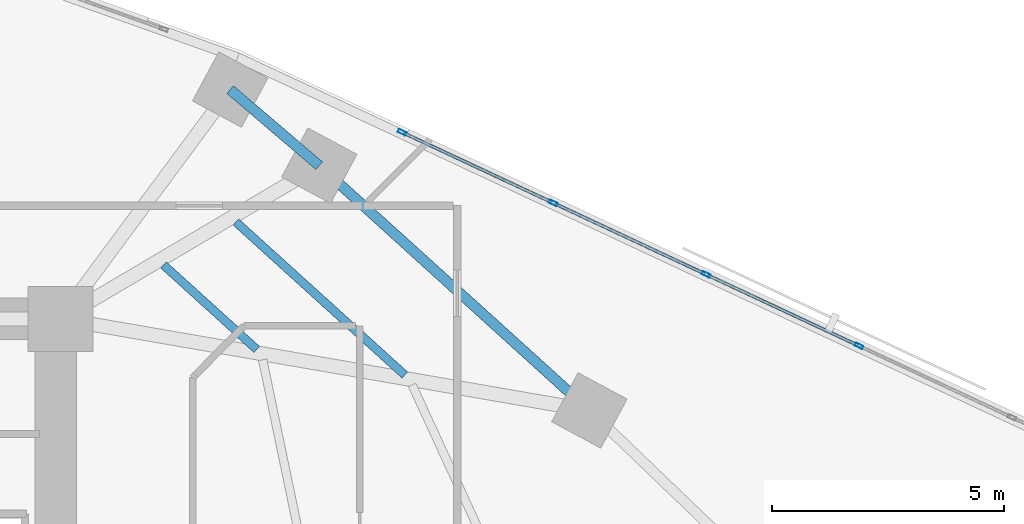
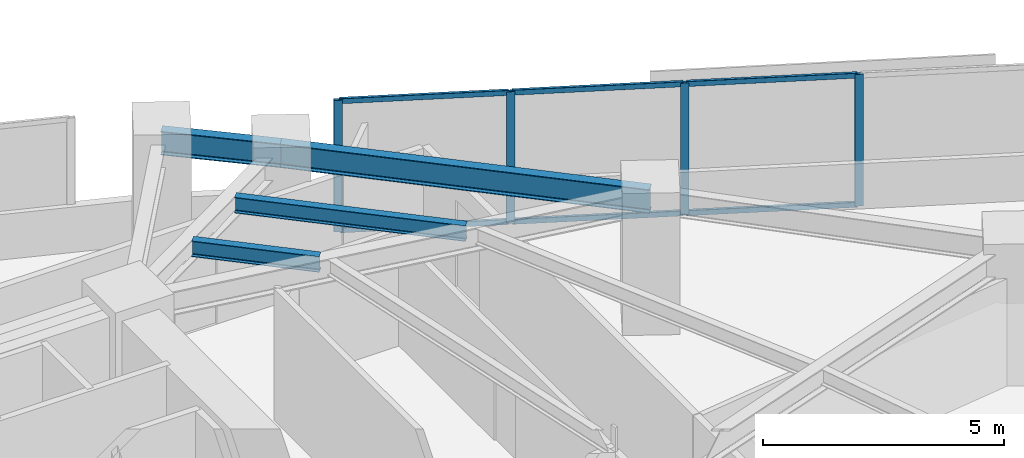
# One storey, part 4 of 16: 10 members, 4 beams, 1 element without a shape of its own.
"""IFC4 building model written with IfcOpenShell, lengths in metres."""

from ifc_helpers import new_model, si_unit, direction, frame, origin, origin_2d, place, context, subcontext, project, spatial, hollow_rectangle, i_section, extrude, material, material_profile, profile_set, type_object, element, aggregate, save


model = new_model("IFC4")

# Units and contexts
model_context = context("Model", 3, precision=1e-05, world=origin(), true_north=direction((0.0, 1.0)))
body_context = subcontext(model_context, "Body", "Model", "MODEL_VIEW")
ifc_project = project(units=[si_unit("LENGTHUNIT", "METRE"), si_unit("AREAUNIT", "SQUARE_METRE"), si_unit("VOLUMEUNIT", "CUBIC_METRE"), si_unit("PLANEANGLEUNIT", "RADIAN"), si_unit("MASSUNIT", "GRAM", prefix="KILO")], contexts=[model_context])

# Site, building, storey
site_placement = place(None, origin())
site = spatial("IfcSite", under=ifc_project, at=site_placement, CompositionType="ELEMENT")
building_placement = place(site_placement, origin())
building = spatial("IfcBuilding", under=site, at=building_placement, Name="Narakoshi Arena Tower", CompositionType="ELEMENT")
storey_placement = place(building_placement, frame((0.0, 0.0, 132.300048828125)))
storey = spatial("IfcBuildingStorey", under=building, at=storey_placement, Name="L35", CompositionType="ELEMENT", Elevation=132.300048828125)

# Beams
ifc_material_1 = material(Name="Structural steel S355J2", Category="steel")
ifc_material_profile_1 = material_profile(ifc_material_1, i_section(OverallWidth=0.219970703125, OverallDepth=0.60009765625, WebThickness=0.011962890625, FlangeThickness=0.01904296875, FilletRadius=0.02392578125, at=origin_2d()), Name="IPE600")
ifc_profile_set_1 = profile_set([ifc_material_profile_1], Name="Structural steel S355J2")
beam_type_1 = type_object("IfcBeamType", Name="BM-EDGE-600", PredefinedType="BEAM", material=ifc_profile_set_1)
beam_1_placement = place(storey_placement, frame((96.9443359375, 54.528076171875, 3.0400390625), z_axis=(-0.741140720169, 0.671349709844, 0.0), x_axis=(-0.671349709844, -0.741140720169, 0.0)))
element("IfcBeam", 1, at=beam_1_placement, inside=storey, type_object=beam_type_1, Name="L35 Perimeter Edge Girder 06", PredefinedType="BEAM", context=body_context, shape_type="SweptSolid", body=[
    extrude(i_section(OverallWidth=0.219970703125, OverallDepth=0.60009765625, WebThickness=0.011962890625, FlangeThickness=0.01904296875, FilletRadius=0.02392578125, at=origin_2d()), origin(), (0.0, 0.0, 1.0), 7.849853515625),
])
beam_2_placement = place(storey_placement, frame((91.12646484375, 59.798095703125, 3.0400390625), z_axis=(-0.760388602298, 0.649468377595, 0.0), x_axis=(-0.649468377595, -0.760388602298, 0.0)))
element("IfcBeam", 2, at=beam_2_placement, inside=storey, type_object=beam_type_1, Name="L35 Perimeter Edge Girder 07", PredefinedType="BEAM", context=body_context, shape_type="SweptSolid", body=[
    extrude(i_section(OverallWidth=0.219970703125, OverallDepth=0.60009765625, WebThickness=0.011962890625, FlangeThickness=0.01904296875, FilletRadius=0.02392578125, at=origin_2d()), origin(), (0.0, 0.0, 1.0), 2.524658203125),
])
ifc_material_profile_2 = material_profile(ifc_material_1, i_section(OverallWidth=0.179931640625, OverallDepth=0.39990234375, WebThickness=0.008544921875, FlangeThickness=0.013427734375, FilletRadius=0.02099609375, at=origin_2d()), Name="IPE400")
ifc_profile_set_2 = profile_set([ifc_material_profile_2], Name="Structural steel S355J2")
beam_type_2 = type_object("IfcBeamType", Name="BM-SEC-400", PredefinedType="JOIST", material=ifc_profile_set_2)
beam_3_placement = place(storey_placement, frame((89.77978515625, 55.84130859375, 3.139892578125), z_axis=(-0.741160441586, 0.671327937619, 0.0), x_axis=(-0.671327937619, -0.741160441586, 0.0)))
element("IfcBeam", 3, at=beam_3_placement, inside=storey, type_object=beam_type_2, Name="L35 Composite Secondary Floor Joist 05", PredefinedType="JOIST", context=body_context, shape_type="SweptSolid", body=[
    extrude(i_section(OverallWidth=0.179931640625, OverallDepth=0.39990234375, WebThickness=0.008544921875, FlangeThickness=0.013427734375, FilletRadius=0.02099609375, at=origin_2d()), origin(), (0.0, 0.0, 1.0), 2.712890625),
])
beam_4_placement = place(storey_placement, frame((92.97021484375, 55.289306640625, 3.139892578125), z_axis=(-0.741144631446, 0.67134539194, 0.0), x_axis=(-0.67134539194, -0.741144631446, 0.0)))
element("IfcBeam", 4, at=beam_4_placement, inside=storey, type_object=beam_type_2, Name="L35 Composite Secondary Floor Joist 06", PredefinedType="JOIST", context=body_context, shape_type="SweptSolid", body=[
    extrude(i_section(OverallWidth=0.179931640625, OverallDepth=0.39990234375, WebThickness=0.008544921875, FlangeThickness=0.013427734375, FilletRadius=0.02099609375, at=origin_2d()), origin(), (0.0, 0.0, 1.0), 4.910888671875),
])

# Curtain wall, members
ifc_material_2 = material(Name="Anodised bronze aluminium 6063-T6", Category="aluminium")
curtain_wall_type = type_object("IfcCurtainWallType", Name="CW-HYP-MID", PredefinedType="NOTDEFINED", material=ifc_material_2)
curtain_wall_placement = place(storey_placement, origin())
curtain_wall = element("IfcCurtainWall", 5, at=curtain_wall_placement, inside=storey, type_object=curtain_wall_type, Name="L35 Folded Hypotenuse Curtain Wall 1-1", PredefinedType="NOTDEFINED")
ifc_material_profile_3 = material_profile(ifc_material_2, hollow_rectangle(XDim=0.074951171875, YDim=0.179931640625, WallThickness=0.00390625, OuterFilletRadius=0.0048828125, at=origin_2d()), Name="MUL180x75x4")
ifc_profile_set_3 = profile_set([ifc_material_profile_3], Name="Anodised bronze aluminium 6063-T6")
member_type_1 = type_object("IfcMemberType", Name="MEM-MUL-180", PredefinedType="MULLION", material=ifc_profile_set_3)
member_1_placement = place(storey_placement, frame((102.75048828125, 55.917236328125, 0.0), z_axis=(0.0, 0.0, 1.0), x_axis=(-0.423531721612, -0.905881273009, 0.0)))
member_1 = element("IfcMember", 6, at=member_1_placement, type_object=member_type_1, Name="CW-02 mullion 6", PredefinedType="MULLION", context=body_context, shape_type="SweptSolid", body=[
    extrude(hollow_rectangle(XDim=0.074951171875, YDim=0.179931640625, WallThickness=0.00390625, OuterFilletRadius=0.0048828125, at=origin_2d()), origin(), (0.0, 0.0, 1.0), 3.33984375),
])
member_2_placement = place(storey_placement, frame((99.458984375, 57.4560546875, 0.0), z_axis=(0.0, 0.0, 1.0), x_axis=(-0.423531721612, -0.905881273009, 0.0)))
member_2 = element("IfcMember", 7, at=member_2_placement, type_object=member_type_1, Name="CW-02 mullion 7", PredefinedType="MULLION", context=body_context, shape_type="SweptSolid", body=[
    extrude(hollow_rectangle(XDim=0.074951171875, YDim=0.179931640625, WallThickness=0.00390625, OuterFilletRadius=0.0048828125, at=origin_2d()), origin(), (0.0, 0.0, 1.0), 3.33984375),
])
member_3_placement = place(storey_placement, frame((96.16748046875, 58.994873046875, 0.0), z_axis=(0.0, 0.0, 1.0), x_axis=(-0.423531721612, -0.905881273009, 0.0)))
member_3 = element("IfcMember", 8, at=member_3_placement, type_object=member_type_1, Name="CW-02 mullion 8", PredefinedType="MULLION", context=body_context, shape_type="SweptSolid", body=[
    extrude(hollow_rectangle(XDim=0.074951171875, YDim=0.179931640625, WallThickness=0.00390625, OuterFilletRadius=0.0048828125, at=origin_2d()), origin(), (0.0, 0.0, 1.0), 3.33984375),
])
member_4_placement = place(storey_placement, frame((92.91015625, 60.517822265625, 0.0), z_axis=(0.0, 0.0, 1.0), x_axis=(-0.423531721612, -0.905881273009, 0.0)))
member_4 = element("IfcMember", 9, at=member_4_placement, type_object=member_type_1, Name="CW-02 mullion 9", PredefinedType="MULLION", context=body_context, shape_type="SweptSolid", body=[
    extrude(hollow_rectangle(XDim=0.074951171875, YDim=0.179931640625, WallThickness=0.00390625, OuterFilletRadius=0.0048828125, at=origin_2d()), origin(), (0.0, 0.0, 1.0), 3.33984375),
])
ifc_material_profile_4 = material_profile(ifc_material_2, hollow_rectangle(XDim=0.06494140625, YDim=0.1298828125, WallThickness=0.00390625, OuterFilletRadius=0.0048828125, at=origin_2d()), Name="TRN130x65x4")
ifc_profile_set_4 = profile_set([ifc_material_profile_4], Name="Anodised bronze aluminium 6063-T6")
member_type_2 = type_object("IfcMemberType", Name="MEM-TRN-130", PredefinedType="USERDEFINED", material=ifc_profile_set_4)
member_5_placement = place(storey_placement, frame((102.716552734375, 55.93310546875, 0.032470703125), z_axis=(-0.905877908574, 0.423538917642, 0.0), x_axis=(-0.423538917642, -0.905877908574, 0.0)))
member_5 = element("IfcMember", 10, at=member_5_placement, type_object=member_type_2, Name="CW-02 transom 6.1", ObjectType="TRANSOM", PredefinedType="USERDEFINED", context=body_context, shape_type="SweptSolid", body=[
    extrude(hollow_rectangle(XDim=0.06494140625, YDim=0.1298828125, WallThickness=0.00390625, OuterFilletRadius=0.0048828125, at=origin_2d()), origin(), (0.0, 0.0, 1.0), 3.558349609375),
])
member_6_placement = place(storey_placement, frame((102.716552734375, 55.93310546875, 3.307373046875), z_axis=(-0.905877908574, 0.423538917642, 0.0), x_axis=(-0.423538917642, -0.905877908574, 0.0)))
member_6 = element("IfcMember", 11, at=member_6_placement, type_object=member_type_2, Name="CW-02 transom 6.2", ObjectType="TRANSOM", PredefinedType="USERDEFINED", context=body_context, shape_type="SweptSolid", body=[
    extrude(hollow_rectangle(XDim=0.06494140625, YDim=0.1298828125, WallThickness=0.00390625, OuterFilletRadius=0.0048828125, at=origin_2d()), origin(), (0.0, 0.0, 1.0), 3.558349609375),
])
member_7_placement = place(storey_placement, frame((99.425048828125, 57.471923828125, 0.032470703125), z_axis=(-0.905877908574, 0.423538917642, 0.0), x_axis=(-0.423538917642, -0.905877908574, 0.0)))
member_7 = element("IfcMember", 12, at=member_7_placement, type_object=member_type_2, Name="CW-02 transom 7.1", ObjectType="TRANSOM", PredefinedType="USERDEFINED", context=body_context, shape_type="SweptSolid", body=[
    extrude(hollow_rectangle(XDim=0.06494140625, YDim=0.1298828125, WallThickness=0.00390625, OuterFilletRadius=0.0048828125, at=origin_2d()), origin(), (0.0, 0.0, 1.0), 3.558349609375),
])
member_8_placement = place(storey_placement, frame((99.425048828125, 57.471923828125, 3.307373046875), z_axis=(-0.905877908574, 0.423538917642, 0.0), x_axis=(-0.423538917642, -0.905877908574, 0.0)))
member_8 = element("IfcMember", 13, at=member_8_placement, type_object=member_type_2, Name="CW-02 transom 7.2", ObjectType="TRANSOM", PredefinedType="USERDEFINED", context=body_context, shape_type="SweptSolid", body=[
    extrude(hollow_rectangle(XDim=0.06494140625, YDim=0.1298828125, WallThickness=0.00390625, OuterFilletRadius=0.0048828125, at=origin_2d()), origin(), (0.0, 0.0, 1.0), 3.558349609375),
])
member_9_placement = place(storey_placement, frame((96.133544921875, 59.0107421875, 0.032470703125), z_axis=(-0.9058782068, 0.423538279787, 0.0), x_axis=(-0.423538279787, -0.9058782068, 0.0)))
member_9 = element("IfcMember", 14, at=member_9_placement, type_object=member_type_2, Name="CW-02 transom 8.1", ObjectType="TRANSOM", PredefinedType="USERDEFINED", context=body_context, shape_type="SweptSolid", body=[
    extrude(hollow_rectangle(XDim=0.06494140625, YDim=0.1298828125, WallThickness=0.00390625, OuterFilletRadius=0.0048828125, at=origin_2d()), origin(), (0.0, 0.0, 1.0), 3.520751953125),
])
member_10_placement = place(storey_placement, frame((96.133544921875, 59.0107421875, 3.307373046875), z_axis=(-0.9058782068, 0.423538279787, 0.0), x_axis=(-0.423538279787, -0.9058782068, 0.0)))
member_10 = element("IfcMember", 15, at=member_10_placement, type_object=member_type_2, Name="CW-02 transom 8.2", ObjectType="TRANSOM", PredefinedType="USERDEFINED", context=body_context, shape_type="SweptSolid", body=[
    extrude(hollow_rectangle(XDim=0.06494140625, YDim=0.1298828125, WallThickness=0.00390625, OuterFilletRadius=0.0048828125, at=origin_2d()), origin(), (0.0, 0.0, 1.0), 3.520751953125),
])
aggregate(curtain_wall, [member_1, member_2, member_3, member_4, member_5, member_6, member_7, member_8, member_9, member_10])

save(model, "model.ifc")
